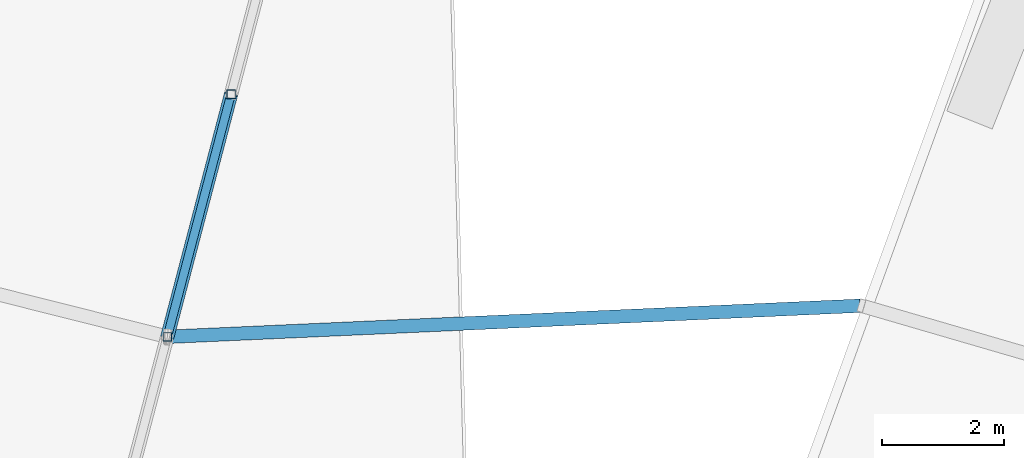
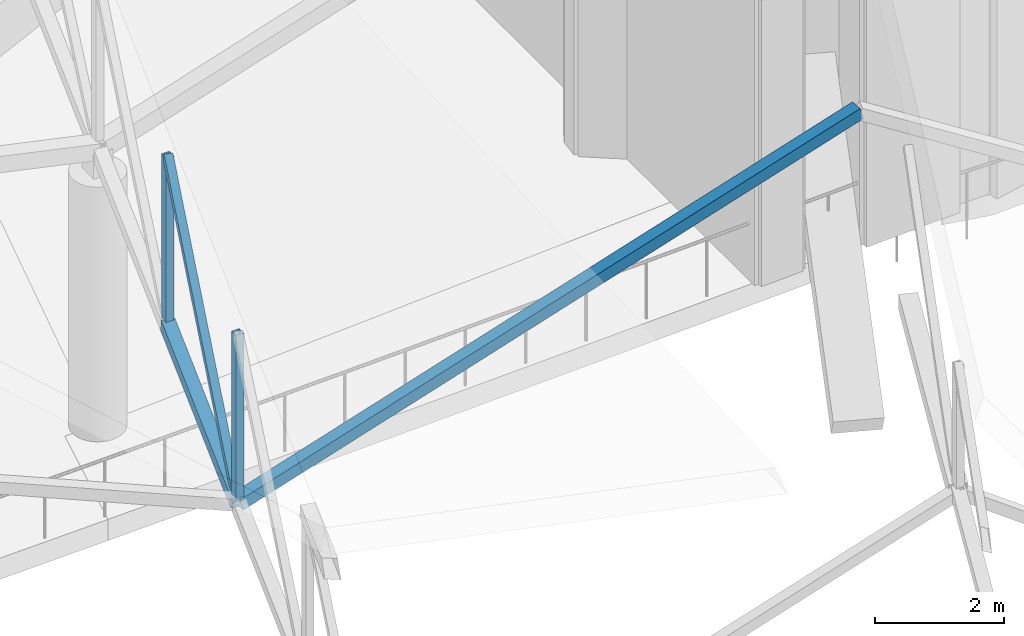
# One storey, part 157 of 344: 5 members.
"""IFC4 building model written with IfcOpenShell, lengths in metres."""

from ifc_helpers import new_model, si_unit, direction, frame, origin, origin_2d, place, context, subcontext, project, spatial, hollow_rectangle, extrude, material, material_profile, profile_set, type_object, element, save


model = new_model("IFC4")

# Units and contexts
model_context = context("Model", 3, precision=1e-05, world=origin(), true_north=direction((0.0, 1.0)))
body_context = subcontext(model_context, "Body", "Model", "MODEL_VIEW")
ifc_project = project(units=[si_unit("LENGTHUNIT", "METRE"), si_unit("AREAUNIT", "SQUARE_METRE"), si_unit("VOLUMEUNIT", "CUBIC_METRE"), si_unit("PLANEANGLEUNIT", "RADIAN"), si_unit("MASSUNIT", "GRAM", prefix="KILO")], contexts=[model_context])

# Site, building, storey
site_placement = place(None, origin())
site = spatial("IfcSite", under=ifc_project, at=site_placement, CompositionType="ELEMENT")
building_placement = place(site_placement, origin())
building = spatial("IfcBuilding", under=site, at=building_placement, Name="Meseta Stadium", CompositionType="ELEMENT")
storey_placement = place(building_placement, frame((0.0, 0.0, 24.0)))
storey = spatial("IfcBuildingStorey", under=building, at=storey_placement, Name="L04", CompositionType="ELEMENT", Elevation=24.0)

# Members
ifc_material_1 = material(Name="Steel S355", Category="steel")
ifc_material_profile_1 = material_profile(ifc_material_1, hollow_rectangle(XDim=0.139892578125, YDim=0.139892578125, WallThickness=0.0048828125, at=origin_2d()), Name="SHS 140x140x5")
ifc_profile_set_1 = profile_set([ifc_material_profile_1], Name="Steel S355")
member_type_1 = type_object("IfcMemberType", Name="SHS 140x140x5 diagonal", PredefinedType="BRACE", material=ifc_profile_set_1)
member_1_placement = place(storey_placement, frame((18.56298828125, 81.716552734375, 4.100341796875), z_axis=(0.187102108608, 0.711977600272, 0.676816590861), x_axis=(-0.967161544872, 0.254162440421, 0.0)))
element("IfcMember", 1, at=member_1_placement, inside=storey, type_object=member_type_1, Name="ROOF TRUSS RT-17 diagonal", PredefinedType="BRACE", context=body_context, shape_type="SweptSolid", body=[
    extrude(hollow_rectangle(XDim=0.139892578125, YDim=0.139892578125, WallThickness=0.0048828125, at=origin_2d()), origin(), (0.0, 0.0, 1.0), 5.57568359375),
])
ifc_material_2 = material(Name="Steel S355", Category="steel")
ifc_material_profile_2 = material_profile(ifc_material_2, hollow_rectangle(XDim=0.139892578125, YDim=0.139892578125, WallThickness=0.0048828125, at=origin_2d()), Name="SHS 140x140x5")
ifc_profile_set_2 = profile_set([ifc_material_profile_2], Name="Steel S355")
member_type_2 = type_object("IfcMemberType", Name="SHS 140x140x5 post", PredefinedType="POST", material=ifc_profile_set_2)
for number, where, z_axis, x_axis, name in (
    (2, (18.56298828125, 81.716552734375, 4.100341796875), (0.0, 0.0, 1.0), (1.0, 0.0, 0.0), "ROOF TRUSS RT-17 post"),
    (3, (19.606201171875, 85.686279296875, 4.674072265625), (0.0, 0.0, 1.0), (1.0, 0.0, 0.0), "ROOF TRUSS RT-17 post"),
):
    element("IfcMember", number, at=place(storey_placement, frame(where, z_axis=z_axis, x_axis=x_axis)), inside=storey, type_object=member_type_2, Name=name, PredefinedType="POST", context=body_context, shape_type="SweptSolid", body=[
        extrude(hollow_rectangle(XDim=0.139892578125, YDim=0.139892578125, WallThickness=0.0048828125, at=origin_2d()), origin(), (0.0, 0.0, 1.0), 3.199951171875),
    ])
ifc_material_3 = material(Name="Steel S355", Category="steel")
ifc_material_profile_3 = material_profile(ifc_material_3, hollow_rectangle(XDim=0.219970703125, YDim=0.219970703125, WallThickness=0.008056640625, at=origin_2d()), Name="SHS 220x220x8")
ifc_profile_set_3 = profile_set([ifc_material_profile_3], Name="Steel S355")
member_type_3 = type_object("IfcMemberType", Name="SHS 220x220x8 bottom chord", PredefinedType="CHORD", material=ifc_profile_set_3)
member_2_placement = place(storey_placement, frame((18.56298828125, 81.716552734375, 4.100341796875), z_axis=(0.251715258624, 0.957849310843, 0.138434555995), x_axis=(-0.967161544872, 0.254162440421, 0.0)))
element("IfcMember", 4, at=member_2_placement, inside=storey, type_object=member_type_3, Name="ROOF TRUSS RT-17 bottom chord", PredefinedType="CHORD", context=body_context, shape_type="SweptSolid", body=[
    extrude(hollow_rectangle(XDim=0.219970703125, YDim=0.219970703125, WallThickness=0.008056640625, at=origin_2d()), origin(), (0.0, 0.0, 1.0), 4.14453125),
])
ifc_material_4 = material(Name="Steel S355", Category="steel")
ifc_material_profile_4 = material_profile(ifc_material_4, hollow_rectangle(XDim=0.219970703125, YDim=0.219970703125, WallThickness=0.008056640625, at=origin_2d()), Name="SHS 220x220x8")
ifc_profile_set_4 = profile_set([ifc_material_profile_4], Name="Steel S355")
member_type_4 = type_object("IfcMemberType", Name="SHS 220x220x8 strut", PredefinedType="STRUT", material=ifc_profile_set_4)
member_3_placement = place(storey_placement, frame((29.922607421875, 82.226318359375, 7.1982421875), z_axis=(-0.963864744734, -0.043253660878, -0.262857137397), x_axis=(0.04483012264, -0.998994624662, 0.0)))
element("IfcMember", 5, at=member_3_placement, inside=storey, type_object=member_type_4, Name="ROOF TRUSS STRUT RT-16/17", PredefinedType="STRUT", context=body_context, shape_type="SweptSolid", body=[
    extrude(hollow_rectangle(XDim=0.219970703125, YDim=0.219970703125, WallThickness=0.008056640625, at=origin_2d()), origin(), (0.0, 0.0, 1.0), 11.785400390625),
])

save(model, "model.ifc")
